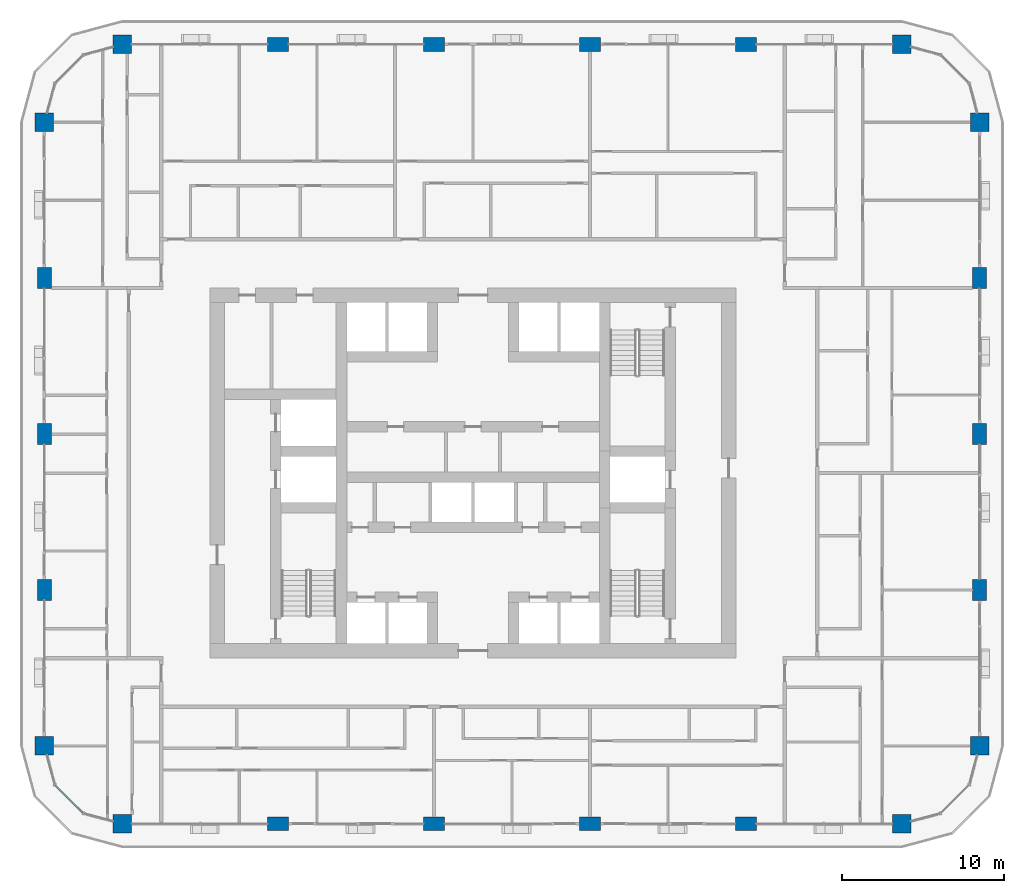
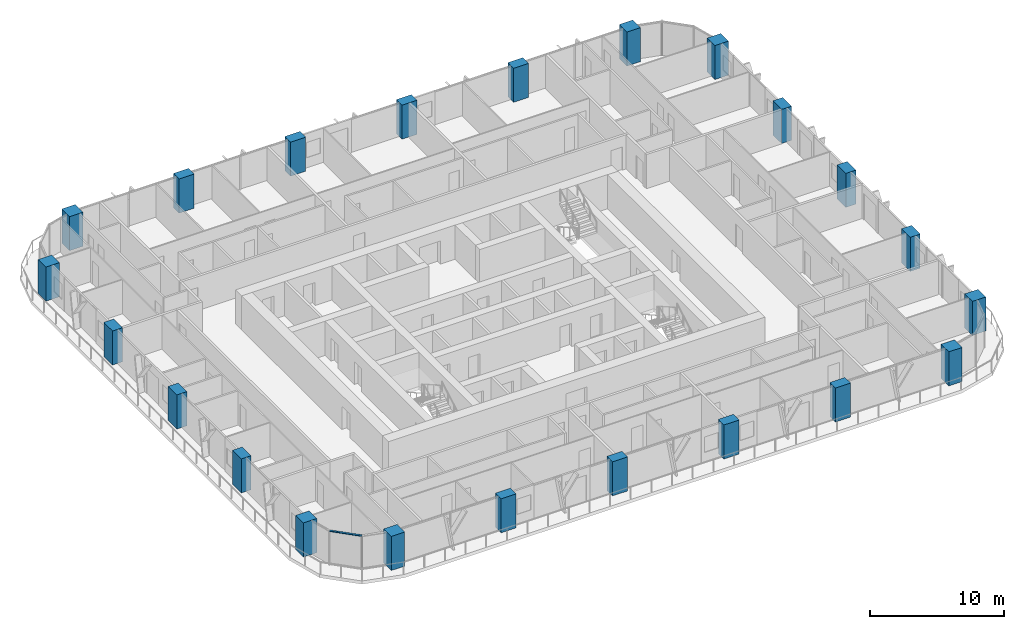
# One storey, part 1 of 21: 22 columns, 1 member, 1 element without a shape of its own.
"""IFC4 building model written with IfcOpenShell, lengths in metres."""

from ifc_helpers import new_model, si_unit, direction, frame, origin, origin_2d, place, context, subcontext, project, spatial, rectangle, extrude, material, layer, layer_set, material_profile, profile_set, type_object, element, aggregate, save


model = new_model("IFC4")

# Units and contexts
model_context = context("Model", 3, precision=1e-05, world=origin(), true_north=direction((0.0, 1.0)))
body_context = subcontext(model_context, "Body", "Model", "MODEL_VIEW")
ifc_project = project(units=[si_unit("LENGTHUNIT", "METRE"), si_unit("AREAUNIT", "SQUARE_METRE"), si_unit("VOLUMEUNIT", "CUBIC_METRE"), si_unit("PLANEANGLEUNIT", "RADIAN"), si_unit("MASSUNIT", "GRAM", prefix="KILO")], contexts=[model_context])

# Site, building, storey
site_placement = place(None, origin())
site = spatial("IfcSite", under=ifc_project, at=site_placement, CompositionType="ELEMENT")
building_placement = place(site_placement, origin())
building = spatial("IfcBuilding", under=site, at=building_placement, Name="Madar Terraces", CompositionType="ELEMENT")
storey_placement = place(building_placement, frame((0.0, 0.0, 110.199951171875)))
storey = spatial("IfcBuildingStorey", under=building, at=storey_placement, Name="L28", CompositionType="ELEMENT", Elevation=110.199951171875)

# Columns
ifc_material_1 = material(Name="Concrete C80/95", Category="concrete")
ifc_material_profile_1 = material_profile(ifc_material_1, rectangle(XDim=1.300048828125, YDim=0.85009765625, at=origin_2d()), Name="CC2 RC 1300x850")
ifc_profile_set_1 = profile_set([ifc_material_profile_1], Name="Concrete C80/95")
column_type_1 = type_object("IfcColumnType", Name="CC2 RC 1300x850", PredefinedType="COLUMN", material=ifc_profile_set_1)
for number, where, z_axis, x_axis, name in (
    (1, (19.199951171875, 4.800048828125, 0.0), (0.0, 0.0, 1.0), (1.0, 0.0, 0.0), "Perimeter column S2"),
    (2, (28.800048828125, 4.800048828125, 0.0), (0.0, 0.0, 1.0), (1.0, 0.0, 0.0), "Perimeter column S3"),
    (3, (38.39990234375, 4.800048828125, 0.0), (0.0, 0.0, 1.0), (1.0, 0.0, 0.0), "Perimeter column S4"),
    (4, (48.0, 4.800048828125, 0.0), (0.0, 0.0, 1.0), (1.0, 0.0, 0.0), "Perimeter column S5"),
    (5, (62.39990234375, 19.199951171875, 0.0), (0.0, 0.0, 1.0), (0.0, 1.0, 0.0), "Perimeter column E2"),
    (6, (62.39990234375, 28.800048828125, 0.0), (0.0, 0.0, 1.0), (0.0, 1.0, 0.0), "Perimeter column E3"),
    (7, (62.39990234375, 38.39990234375, 0.0), (0.0, 0.0, 1.0), (0.0, 1.0, 0.0), "Perimeter column E4"),
    (8, (48.0, 52.800048828125, 0.0), (0.0, 0.0, 1.0), (1.0, 0.0, 0.0), "Perimeter column N2"),
    (9, (38.39990234375, 52.800048828125, 0.0), (0.0, 0.0, 1.0), (1.0, 0.0, 0.0), "Perimeter column N3"),
    (10, (28.800048828125, 52.800048828125, 0.0), (0.0, 0.0, 1.0), (1.0, 0.0, 0.0), "Perimeter column N4"),
    (11, (19.199951171875, 52.800048828125, 0.0), (0.0, 0.0, 1.0), (1.0, 0.0, 0.0), "Perimeter column N5"),
    (12, (4.800048828125, 38.39990234375, 0.0), (0.0, 0.0, 1.0), (0.0, 1.0, 0.0), "Perimeter column W2"),
    (13, (4.800048828125, 28.800048828125, 0.0), (0.0, 0.0, 1.0), (0.0, 1.0, 0.0), "Perimeter column W3"),
    (14, (4.800048828125, 19.199951171875, 0.0), (0.0, 0.0, 1.0), (0.0, 1.0, 0.0), "Perimeter column W4"),
):
    element("IfcColumn", number, at=place(storey_placement, frame(where, z_axis=z_axis, x_axis=x_axis)), inside=storey, type_object=column_type_1, Name=name, PredefinedType="COLUMN", context=body_context, shape_type="SweptSolid", body=[
        extrude(rectangle(XDim=1.300048828125, YDim=0.85009765625, at=origin_2d()), origin(), (0.0, 0.0, 1.0), 3.10009765625),
    ])
ifc_material_2 = material(Name="Concrete C80/95", Category="concrete")
ifc_material_profile_2 = material_profile(ifc_material_2, rectangle(XDim=1.14990234375, YDim=1.14990234375, at=origin_2d()), Name="KC2 RC 1150x1150")
ifc_profile_set_2 = profile_set([ifc_material_profile_2], Name="Concrete C80/95")
column_type_2 = type_object("IfcColumnType", Name="KC2 RC 1150x1150", PredefinedType="COLUMN", material=ifc_profile_set_2)
for number, where, z_axis, x_axis, name in (
    (15, (9.60009765625, 4.800048828125, 0.0), (0.0, 0.0, 1.0), (1.0, 0.0, 0.0), "Perimeter column S1"),
    (16, (57.60009765625, 4.800048828125, 0.0), (0.0, 0.0, 1.0), (1.0, 0.0, 0.0), "Perimeter column S6"),
    (17, (62.39990234375, 9.60009765625, 0.0), (0.0, 0.0, 1.0), (1.0, 0.0, 0.0), "Perimeter column E1"),
    (18, (62.39990234375, 48.0, 0.0), (0.0, 0.0, 1.0), (1.0, 0.0, 0.0), "Perimeter column E5"),
    (19, (57.60009765625, 52.800048828125, 0.0), (0.0, 0.0, 1.0), (1.0, 0.0, 0.0), "Perimeter column N1"),
    (20, (9.60009765625, 52.800048828125, 0.0), (0.0, 0.0, 1.0), (1.0, 0.0, 0.0), "Perimeter column N6"),
    (21, (4.800048828125, 48.0, 0.0), (0.0, 0.0, 1.0), (1.0, 0.0, 0.0), "Perimeter column W1"),
    (22, (4.800048828125, 9.60009765625, 0.0), (0.0, 0.0, 1.0), (1.0, 0.0, 0.0), "Perimeter column W5"),
):
    element("IfcColumn", number, at=place(storey_placement, frame(where, z_axis=z_axis, x_axis=x_axis)), inside=storey, type_object=column_type_2, Name=name, PredefinedType="COLUMN", context=body_context, shape_type="SweptSolid", body=[
        extrude(rectangle(XDim=1.14990234375, YDim=1.14990234375, at=origin_2d()), origin(), (0.0, 0.0, 1.0), 3.10009765625),
    ])

# Curtain wall, member
ifc_material_3 = material(Name="Glass, ceramic frit dark grey, with black aluminium frame", Category="aluminium")
ifc_layer = layer(ifc_material_3, 0.199951171875)
ifc_layer_set = layer_set([ifc_layer], Name="Facade curtain wall, fritted glass")
curtain_wall_type = type_object("IfcCurtainWallType", Name="Facade curtain wall, fritted glass", PredefinedType="NOTDEFINED", material=ifc_layer_set)
curtain_wall_placement = place(storey_placement, origin())
curtain_wall = element("IfcCurtainWall", 23, at=curtain_wall_placement, inside=storey, type_object=curtain_wall_type, Name="Outer skin curtain wall south-west corner", PredefinedType="NOTDEFINED")
ifc_material_4 = material(Name="Aluminium, black anodised", Category="aluminium")
ifc_material_profile_3 = material_profile(ifc_material_4, rectangle(XDim=0.1201171875, YDim=0.06005859375, at=origin_2d()), Name="Facade transom 60x120")
ifc_profile_set_3 = profile_set([ifc_material_profile_3], Name="Aluminium, black anodised")
member_type = type_object("IfcMemberType", Name="Facade transom 60x120", PredefinedType="USERDEFINED", material=ifc_profile_set_3)
member_placement = place(storey_placement, frame((5.46435546875, 7.1787109375, 3.070068359375), z_axis=(0.707106781187, -0.707106781187, 0.0), x_axis=(0.707106781187, 0.707106781187, 0.0)))
member = element("IfcMember", 24, at=member_placement, type_object=member_type, Name="Transom 2", ObjectType="TRANSOM", PredefinedType="USERDEFINED", context=body_context, shape_type="SweptSolid", body=[
    extrude(rectangle(XDim=0.1201171875, YDim=0.06005859375, at=origin_2d()), origin(), (0.0, 0.0, 1.0), 2.424560546875),
])
aggregate(curtain_wall, [member])

save(model, "model.ifc")
